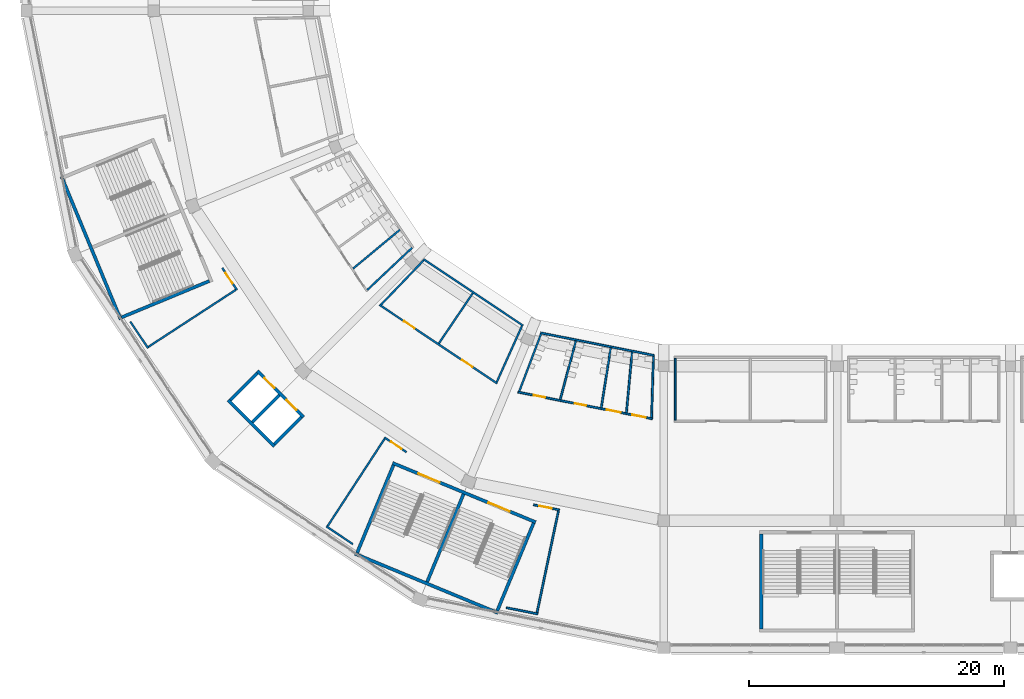
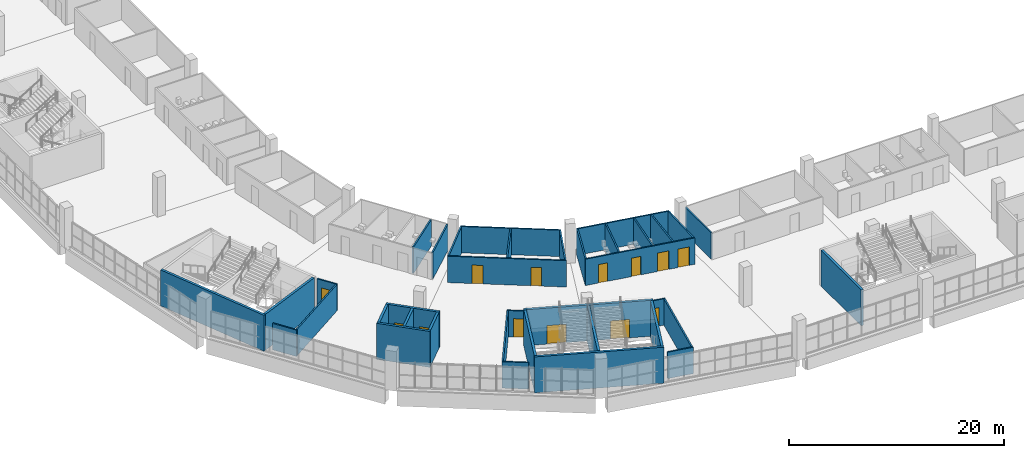
# One storey, part 74 of 199: 37 walls, 13 doors, 13 openings.
"""IFC4 building model written with IfcOpenShell, lengths in metres."""

from ifc_helpers import new_model, si_unit, direction, frame, frame_2d, origin, place, context, subcontext, project, spatial, rectangle, extrude, material, layer, layer_set, type_object, element, fill, save


model = new_model("IFC4")

# Units and contexts
model_context = context("Model", 3, precision=1e-05, world=origin(), true_north=direction((0.0, 1.0)))
body_context = subcontext(model_context, "Body", "Model", "MODEL_VIEW")
ifc_project = project(units=[si_unit("LENGTHUNIT", "METRE"), si_unit("AREAUNIT", "SQUARE_METRE"), si_unit("VOLUMEUNIT", "CUBIC_METRE"), si_unit("PLANEANGLEUNIT", "RADIAN"), si_unit("MASSUNIT", "GRAM", prefix="KILO")], contexts=[model_context])

# Site, building, storey
site_placement = place(None, origin())
site = spatial("IfcSite", under=ifc_project, at=site_placement, CompositionType="ELEMENT")
building_placement = place(site_placement, origin())
building = spatial("IfcBuilding", under=site, at=building_placement, Name="Ogive Plaza Stadium", CompositionType="ELEMENT")
storey_placement = place(building_placement, frame((0.0, 0.0, 4.5)))
storey = spatial("IfcBuildingStorey", under=building, at=storey_placement, Name="L01", CompositionType="ELEMENT", Elevation=4.5)

# Wall
ifc_material_1 = material(Name="Masonry blockwork", Category="masonry")
ifc_layer_1 = layer(ifc_material_1, 0.14990234375)
ifc_layer_set_1 = layer_set([ifc_layer_1], Name="Blockwork wall 150")
wall_type_1 = type_object("IfcWallType", Name="Blockwork wall 150", PredefinedType="SOLIDWALL", material=ifc_layer_set_1)
wall_1_placement = place(storey_placement, frame((-33.10009765625, -79.77490234375, 0.0), z_axis=(0.0, 0.0, 1.0), x_axis=(0.0, -1.0, 0.0)))
element("IfcWall", 1, at=wall_1_placement, inside=storey, type_object=wall_type_1, Name="Wall L01 B16", PredefinedType="SOLIDWALL", context=body_context, shape_type="SweptSolid", body=[
    extrude(rectangle(XDim=4.85009765625, YDim=0.14990234375, at=frame_2d((2.425048828125, 0.0))), origin(), (0.0, 0.0, 1.0), 3.0),
])

# Wall, opening, door
wall_2_placement = place(storey_placement, frame((-44.21728515625, -91.267578125, 0.0), z_axis=(0.0, 0.0, 1.0), x_axis=(0.980769797582, -0.195168143279, 0.0)))
wall_2 = element("IfcWall", 2, at=wall_2_placement, inside=storey, type_object=wall_type_1, Name="Wall L01 B17", PredefinedType="SOLIDWALL", context=body_context, shape_type="SweptSolid", body=[
    extrude(rectangle(XDim=2.080322265625, YDim=0.14990234375, at=frame_2d((1.0400390625, 0.0))), origin(), (0.0, 0.0, 1.0), 3.0),
])
opening_1_placement = place(wall_2_placement, frame((0.47216796875, 0.0, 0.0)))
opening_1 = element("IfcOpeningElement", 3, at=opening_1_placement, cuts=wall_2, Name="Opening D0525", PredefinedType="OPENING", context=body_context, shape_type="SweptSolid", body=[
    extrude(rectangle(XDim=1.0, YDim=2.10009765625, at=frame_2d((0.5, 1.050048828125))), frame((0.0, 0.074951171875, 0.0), z_axis=(0.0, -1.0, 0.0), x_axis=(1.0, 0.0, 0.0)), (0.0, 0.0, 1.0), 0.14990234375),
])
ifc_material_2 = material(Name="Steel ASTM A572 Grade 50", Category="steel")
door_type_1 = type_object("IfcDoorType", Name="Door 1000 x 2100", OperationType="SINGLE_SWING_LEFT", PredefinedType="DOOR", material=ifc_material_2)
door_1_placement = place(opening_1_placement, origin())
door_1 = element("IfcDoor", 4, at=door_1_placement, inside=storey, type_object=door_type_1, Name="Club Servery B17 door", OperationType="SINGLE_SWING_RIGHT", OverallHeight=2.10009765625, OverallWidth=1.0, PredefinedType="DOOR", context=body_context, shape_type="SweptSolid", body=[
    extrude(rectangle(XDim=1.0, YDim=2.10009765625, at=frame_2d((0.5, 1.050048828125))), frame((0.0, 0.02490234375, 0.0), z_axis=(0.0, -1.0, 0.0), x_axis=(1.0, 0.0, 0.0)), (0.0, 0.0, 1.0), 0.050048828125),
])
fill(opening_1, door_1)

# Walls
wall_3_placement = place(storey_placement, frame((-46.345947265625, -99.34423828125, 0.0), z_axis=(0.0, 0.0, 1.0), x_axis=(0.980778163577, -0.195126097309, 0.0)))
element("IfcWall", 5, at=wall_3_placement, inside=storey, type_object=wall_type_1, Name="Wall L01 B17", PredefinedType="SOLIDWALL", context=body_context, shape_type="SweptSolid", body=[
    extrude(rectangle(XDim=2.513671875, YDim=0.14990234375, at=frame_2d((1.2568359375, 0.0))), origin(), (0.0, 0.0, 1.0), 3.0),
])
wall_4_placement = place(storey_placement, frame((-42.2587890625, -91.732177734375, 0.0), z_axis=(0.0, 0.0, 1.0), x_axis=(-0.206011983374, -0.978549468707, 0.0)))
element("IfcWall", 6, at=wall_4_placement, inside=storey, type_object=wall_type_1, Name="Wall L01 B17", PredefinedType="SOLIDWALL", context=body_context, shape_type="SweptSolid", body=[
    extrude(rectangle(XDim=8.190185546875, YDim=0.14990234375, at=frame_2d((4.09521484375, 0.0))), origin(), (0.0, 0.0, 1.0), 3.0),
])
wall_5_placement = place(storey_placement, frame((-45.037109375, -77.209716796875, 0.0), z_axis=(0.0, 0.0, 1.0), x_axis=(-0.83146970134, 0.555570099766, 0.0)))
element("IfcWall", 7, at=wall_5_placement, inside=storey, type_object=wall_type_1, Name="Wall L01 B18", PredefinedType="SOLIDWALL", context=body_context, shape_type="SweptSolid", body=[
    extrude(rectangle(XDim=9.3876953125, YDim=0.14990234375, at=frame_2d((4.69384765625, 0.0))), origin(), (0.0, 0.0, 1.0), 3.0),
])

# Wall, openings, doors
wall_6_placement = place(storey_placement, frame((-47.066162109375, -81.751953125, 0.0), z_axis=(0.0, 0.0, 1.0), x_axis=(-0.83146852918, 0.555571854024, 0.0)))
wall_6 = element("IfcWall", 8, at=wall_6_placement, inside=storey, type_object=wall_type_1, Name="Wall L01 B18", PredefinedType="SOLIDWALL", context=body_context, shape_type="SweptSolid", body=[
    extrude(rectangle(XDim=11.113525390625, YDim=0.14990234375, at=frame_2d((5.556640625, 0.0))), origin(), (0.0, 0.0, 1.0), 3.0),
])
opening_2_placement = place(wall_6_placement, frame((2.319091796875, 0.0, 0.0)))
opening_2 = element("IfcOpeningElement", 9, at=opening_2_placement, cuts=wall_6, Name="Opening D0526", PredefinedType="OPENING", context=body_context, shape_type="SweptSolid", body=[
    extrude(rectangle(XDim=1.0, YDim=2.10009765625, at=frame_2d((0.5, 1.050048828125))), frame((0.0, 0.074951171875, 0.0), z_axis=(0.0, -1.0, 0.0), x_axis=(1.0, 0.0, 0.0)), (0.0, 0.0, 1.0), 0.14990234375),
])
opening_3_placement = place(wall_6_placement, frame((7.79443359375, 0.0, 0.0)))
opening_3 = element("IfcOpeningElement", 10, at=opening_3_placement, cuts=wall_6, Name="Opening D0527", PredefinedType="OPENING", context=body_context, shape_type="SweptSolid", body=[
    extrude(rectangle(XDim=1.0, YDim=2.10009765625, at=frame_2d((0.5, 1.050048828125))), frame((0.0, 0.074951171875, 0.0), z_axis=(0.0, -1.0, 0.0), x_axis=(1.0, 0.0, 0.0)), (0.0, 0.0, 1.0), 0.14990234375),
])
door_2_placement = place(opening_2_placement, origin())
door_2 = element("IfcDoor", 11, at=door_2_placement, inside=storey, type_object=door_type_1, Name="Club Bar B18 door", OperationType="SINGLE_SWING_LEFT", OverallHeight=2.10009765625, OverallWidth=1.0, PredefinedType="DOOR", context=body_context, shape_type="SweptSolid", body=[
    extrude(rectangle(XDim=1.0, YDim=2.10009765625, at=frame_2d((0.5, 1.050048828125))), frame((0.0, 0.02490234375, 0.0), z_axis=(0.0, -1.0, 0.0), x_axis=(1.0, 0.0, 0.0)), (0.0, 0.0, 1.0), 0.050048828125),
])
fill(opening_2, door_2)
ifc_material_3 = material(Name="Steel ASTM A572 Grade 50", Category="steel")
door_type_2 = type_object("IfcDoorType", Name="Fire door FD60 1000 x 2100", OperationType="SINGLE_SWING_LEFT", PredefinedType="DOOR", material=ifc_material_3)
door_3_placement = place(opening_3_placement, origin())
door_3 = element("IfcDoor", 12, at=door_3_placement, inside=storey, type_object=door_type_2, Name="Club Kitchen B18 door", OperationType="SINGLE_SWING_RIGHT", OverallHeight=2.10009765625, OverallWidth=1.0, PredefinedType="DOOR", context=body_context, shape_type="SweptSolid", body=[
    extrude(rectangle(XDim=1.0, YDim=2.10009765625, at=frame_2d((0.5, 1.050048828125))), frame((0.0, 0.02490234375, 0.0), z_axis=(0.0, -1.0, 0.0), x_axis=(1.0, 0.0, 0.0)), (0.0, 0.0, 1.0), 0.050048828125),
])
fill(opening_3, door_3)

# Walls
wall_7_placement = place(storey_placement, frame((-45.125, -77.23974609375, 0.0), z_axis=(0.0, 0.0, 1.0), x_axis=(-0.410107887306, -0.912037017215, 0.0)))
element("IfcWall", 13, at=wall_7_placement, inside=storey, type_object=wall_type_1, Name="Wall L01 B18", PredefinedType="SOLIDWALL", context=body_context, shape_type="SweptSolid", body=[
    extrude(rectangle(XDim=4.8232421875, YDim=0.14990234375, at=frame_2d((2.41162109375, 0.0))), origin(), (0.0, 0.0, 1.0), 3.0),
])
wall_8_placement = place(storey_placement, frame((-48.981201171875, -74.662841796875, 0.0), z_axis=(0.0, 0.0, 1.0), x_axis=(-0.559983112244, -0.828504021717, 0.0)))
element("IfcWall", 14, at=wall_8_placement, inside=storey, type_object=wall_type_1, Name="Wall L01 B18", PredefinedType="SOLIDWALL", context=body_context, shape_type="SweptSolid", body=[
    extrude(rectangle(XDim=4.757080078125, YDim=0.14990234375, at=frame_2d((2.37841796875, 0.0))), origin(), (0.0, 0.0, 1.0), 3.0),
])
wall_9_placement = place(storey_placement, frame((-52.83740234375, -72.086181640625, 0.0), z_axis=(0.0, 0.0, 1.0), x_axis=(-0.693179391143, -0.720765101607, 0.0)))
element("IfcWall", 15, at=wall_9_placement, inside=storey, type_object=wall_type_1, Name="Wall L01 B18", PredefinedType="SOLIDWALL", context=body_context, shape_type="SweptSolid", body=[
    extrude(rectangle(XDim=4.832275390625, YDim=0.14990234375, at=frame_2d((2.416015625, 0.0))), origin(), (0.0, 0.0, 1.0), 3.0),
])

# Wall, opening, door
wall_10_placement = place(storey_placement, frame((-54.188232421875, -87.1376953125, 0.0), z_axis=(0.0, 0.0, 1.0), x_axis=(-0.831435859109, 0.555620744921, 0.0)))
wall_10 = element("IfcWall", 16, at=wall_10_placement, inside=storey, type_object=wall_type_1, Name="Wall L01 B18", PredefinedType="SOLIDWALL", context=body_context, shape_type="SweptSolid", body=[
    extrude(rectangle(XDim=2.080078125, YDim=0.14990234375, at=frame_2d((1.0400390625, 0.0))), origin(), (0.0, 0.0, 1.0), 3.0),
])
opening_4_placement = place(wall_10_placement, frame((0.47216796875, 0.0, 0.0)))
opening_4 = element("IfcOpeningElement", 17, at=opening_4_placement, cuts=wall_10, Name="Opening D0528", PredefinedType="OPENING", context=body_context, shape_type="SweptSolid", body=[
    extrude(rectangle(XDim=1.0, YDim=2.10009765625, at=frame_2d((0.5, 1.050048828125))), frame((0.0, 0.074951171875, 0.0), z_axis=(0.0, -1.0, 0.0), x_axis=(1.0, 0.0, 0.0)), (0.0, 0.0, 1.0), 0.14990234375),
])
door_4_placement = place(opening_4_placement, origin())
door_4 = element("IfcDoor", 18, at=door_4_placement, inside=storey, type_object=door_type_2, Name="Club Store B18 door", OperationType="SINGLE_SWING_RIGHT", OverallHeight=2.10009765625, OverallWidth=1.0, PredefinedType="DOOR", context=body_context, shape_type="SweptSolid", body=[
    extrude(rectangle(XDim=1.0, YDim=2.10009765625, at=frame_2d((0.5, 1.050048828125))), frame((0.0, 0.02490234375, 0.0), z_axis=(0.0, -1.0, 0.0), x_axis=(1.0, 0.0, 0.0)), (0.0, 0.0, 1.0), 0.050048828125),
])
fill(opening_4, door_4)

# Walls
wall_11_placement = place(storey_placement, frame((-58.39404296875, -94.353759765625, 0.0), z_axis=(0.0, 0.0, 1.0), x_axis=(-0.83145207432, 0.555596479569, 0.0)))
element("IfcWall", 19, at=wall_11_placement, inside=storey, type_object=wall_type_1, Name="Wall L01 B18", PredefinedType="SOLIDWALL", context=body_context, shape_type="SweptSolid", body=[
    extrude(rectangle(XDim=2.513427734375, YDim=0.14990234375, at=frame_2d((1.2568359375, 0.0))), origin(), (0.0, 0.0, 1.0), 3.0),
])
wall_12_placement = place(storey_placement, frame((-55.901611328125, -86.081298828125, 0.0), z_axis=(0.0, 0.0, 1.0), x_axis=(-0.546272327191, -0.837607631618, 0.0)))
element("IfcWall", 20, at=wall_12_placement, inside=storey, type_object=wall_type_1, Name="Wall L01 B18", PredefinedType="SOLIDWALL", context=body_context, shape_type="SweptSolid", body=[
    extrude(rectangle(XDim=8.18994140625, YDim=0.14990234375, at=frame_2d((4.094970703125, 0.0))), origin(), (0.0, 0.0, 1.0), 3.0),
])
ifc_material_4 = material(Name="Concrete C40/50", Category="concrete")
ifc_layer_2 = layer(ifc_material_4, 0.25)
ifc_layer_set_2 = layer_set([ifc_layer_2], Name="Concrete C40/50")
wall_type_2 = type_object("IfcWallType", Name="Core wall 250", PredefinedType="SHEAR", material=ifc_layer_set_2)
wall_13_placement = place(storey_placement, frame((-26.35009765625, -93.550048828125, 0.0), z_axis=(0.0, 0.0, 1.0), x_axis=(0.0, -1.0, 0.0)))
element("IfcWall", 21, at=wall_13_placement, inside=storey, type_object=wall_type_2, Name="Stair core R16 side wall", PredefinedType="SHEAR", context=body_context, shape_type="SweptSolid", body=[
    extrude(rectangle(XDim=7.4599609375, YDim=0.25, at=frame_2d((3.72998046875, 0.0))), origin(), (0.0, 0.0, 1.0), 4.090087890625),
])

# Wall, openings, doors
wall_14_placement = place(storey_placement, frame((-55.27392578125, -87.98486328125, 0.0), z_axis=(0.0, 0.0, 1.0), x_axis=(0.923877480578, -0.382688386133, 0.0)))
wall_14 = element("IfcWall", 22, at=wall_14_placement, inside=storey, type_object=wall_type_2, Name="Stair core R18 inner wall", PredefinedType="SHEAR", context=body_context, shape_type="SweptSolid", body=[
    extrude(rectangle(XDim=12.14990234375, YDim=0.25, at=frame_2d((6.074951171875, 0.0))), origin(), (0.0, 0.0, 1.0), 4.090087890625),
])
opening_5_placement = place(wall_14_placement, frame((2.199951171875, 0.0, 0.0)))
opening_5 = element("IfcOpeningElement", 23, at=opening_5_placement, cuts=wall_14, Name="Opening D0147", PredefinedType="OPENING", context=body_context, shape_type="SweptSolid", body=[
    extrude(rectangle(XDim=1.800048828125, YDim=2.10009765625, at=frame_2d((0.89990234375, 1.050048828125))), frame((0.0, 0.125, 0.0), z_axis=(0.0, -1.0, 0.0), x_axis=(1.0, 0.0, 0.0)), (0.0, 0.0, 1.0), 0.25),
])
opening_6_placement = place(wall_14_placement, frame((8.14990234375, 0.0, 0.0)))
opening_6 = element("IfcOpeningElement", 24, at=opening_6_placement, cuts=wall_14, Name="Opening D0148", PredefinedType="OPENING", context=body_context, shape_type="SweptSolid", body=[
    extrude(rectangle(XDim=1.800048828125, YDim=2.10009765625, at=frame_2d((0.89990234375, 1.050048828125))), frame((0.0, 0.125, 0.0), z_axis=(0.0, -1.0, 0.0), x_axis=(1.0, 0.0, 0.0)), (0.0, 0.0, 1.0), 0.25),
])
ifc_material_5 = material(Name="Steel ASTM A572 Grade 50", Category="steel")
door_type_3 = type_object("IfcDoorType", Name="Fire door FD90 pair 1800 x 2100", OperationType="DOUBLE_DOOR_SINGLE_SWING", PredefinedType="DOOR", material=ifc_material_5)
door_5_placement = place(opening_5_placement, origin())
door_5 = element("IfcDoor", 25, at=door_5_placement, inside=storey, type_object=door_type_3, Name="Exit stair R18A door L01", OperationType="DOUBLE_DOOR_SINGLE_SWING", OverallHeight=2.10009765625, OverallWidth=1.800048828125, PredefinedType="DOOR", context=body_context, shape_type="SweptSolid", body=[
    extrude(rectangle(XDim=1.800048828125, YDim=2.10009765625, at=frame_2d((0.89990234375, 1.050048828125))), frame((0.0, 0.02490234375, 0.0), z_axis=(0.0, -1.0, 0.0), x_axis=(1.0, 0.0, 0.0)), (0.0, 0.0, 1.0), 0.050048828125),
])
fill(opening_5, door_5)
door_6_placement = place(opening_6_placement, origin())
door_6 = element("IfcDoor", 26, at=door_6_placement, inside=storey, type_object=door_type_3, Name="Exit stair R18B door L01", OperationType="DOUBLE_DOOR_SINGLE_SWING", OverallHeight=2.10009765625, OverallWidth=1.800048828125, PredefinedType="DOOR", context=body_context, shape_type="SweptSolid", body=[
    extrude(rectangle(XDim=1.800048828125, YDim=2.10009765625, at=frame_2d((0.89990234375, 1.050048828125))), frame((0.0, 0.02490234375, 0.0), z_axis=(0.0, -1.0, 0.0), x_axis=(1.0, 0.0, 0.0)), (0.0, 0.0, 1.0), 0.050048828125),
])
fill(opening_6, door_6)

# Walls
wall_15_placement = place(storey_placement, frame((-58.224365234375, -95.108154296875, 0.0), z_axis=(0.0, 0.0, 1.0), x_axis=(0.923884584817, -0.382671234792, 0.0)))
element("IfcWall", 27, at=wall_15_placement, inside=storey, type_object=wall_type_2, Name="Stair core R18 outer wall", PredefinedType="SHEAR", context=body_context, shape_type="SweptSolid", body=[
    extrude(rectangle(XDim=12.14990234375, YDim=0.25, at=frame_2d((6.074951171875, 0.0))), origin(), (0.0, 0.0, 1.0), 4.090087890625),
])
for number, where, z_axis, x_axis, name in (
    (28, (-55.206298828125, -88.148193359375, 0.0), (0.0, 0.0, 1.0), (-0.382664910245, -0.923887204407, 0.0), "Stair core R18 side wall"),
    (29, (-44.212158203125, -92.7021484375, 0.0), (0.0, 0.0, 1.0), (-0.382664910245, -0.923887204407, 0.0), "Stair core R18 side wall"),
):
    element("IfcWall", number, at=place(storey_placement, frame(where, z_axis=z_axis, x_axis=x_axis)), inside=storey, type_object=wall_type_2, Name=name, PredefinedType="SHEAR", context=body_context, shape_type="SweptSolid", body=[
        extrude(rectangle(XDim=7.460205078125, YDim=0.25, at=frame_2d((3.72998046875, 0.0))), origin(), (0.0, 0.0, 1.0), 4.090087890625),
    ])
wall_16_placement = place(storey_placement, frame((-49.709228515625, -90.42529296875, 0.0), z_axis=(0.0, 0.0, 1.0), x_axis=(-0.382676480483, -0.923882412044, 0.0)))
element("IfcWall", 30, at=wall_16_placement, inside=storey, type_object=wall_type_2, Name="Stair core R18 centre wall", PredefinedType="SHEAR", context=body_context, shape_type="SweptSolid", body=[
    extrude(rectangle(XDim=7.4599609375, YDim=0.25, at=frame_2d((3.72998046875, 0.0))), origin(), (0.0, 0.0, 1.0), 4.090087890625),
])
wall_17_placement = place(storey_placement, frame((-81.257568359375, -65.499267578125, 0.0), z_axis=(0.0, 0.0, 1.0), x_axis=(0.382671234792, -0.923884584817, 0.0)))
element("IfcWall", 31, at=wall_17_placement, inside=storey, type_object=wall_type_2, Name="Stair core R20 outer wall", PredefinedType="SHEAR", context=body_context, shape_type="SweptSolid", body=[
    extrude(rectangle(XDim=12.14990234375, YDim=0.25, at=frame_2d((6.074951171875, 0.0))), origin(), (0.0, 0.0, 1.0), 4.090087890625),
])
wall_18_placement = place(storey_placement, frame((-69.648193359375, -73.706298828125, 0.0), z_axis=(0.0, 0.0, 1.0), x_axis=(-0.923887204407, -0.382664910245, 0.0)))
element("IfcWall", 32, at=wall_18_placement, inside=storey, type_object=wall_type_2, Name="Stair core R20 side wall", PredefinedType="SHEAR", context=body_context, shape_type="SweptSolid", body=[
    extrude(rectangle(XDim=7.460205078125, YDim=0.25, at=frame_2d((3.72998046875, 0.0))), origin(), (0.0, 0.0, 1.0), 4.090087890625),
])

# Wall, openings, doors
wall_19_placement = place(storey_placement, frame((-65.890625, -80.7490234375, 0.0), z_axis=(0.0, 0.0, 1.0), x_axis=(0.707106781187, -0.707106781187, 0.0)))
wall_19 = element("IfcWall", 33, at=wall_19_placement, inside=storey, type_object=wall_type_2, Name="Lift core LP19 landing wall", PredefinedType="SHEAR", context=body_context, shape_type="SweptSolid", body=[
    extrude(rectangle(XDim=5.14990234375, YDim=0.25, at=frame_2d((2.574951171875, 0.0))), origin(), (0.0, 0.0, 1.0), 4.090087890625),
])
opening_7_placement = place(wall_19_placement, frame((0.800048828125, 0.0, 0.0)))
opening_7 = element("IfcOpeningElement", 34, at=opening_7_placement, cuts=wall_19, Name="Opening LD046", PredefinedType="OPENING", context=body_context, shape_type="SweptSolid", body=[
    extrude(rectangle(XDim=1.10009765625, YDim=2.10009765625, at=frame_2d((0.550048828125, 1.050048828125))), frame((0.0, 0.125, 0.0), z_axis=(0.0, -1.0, 0.0), x_axis=(1.0, 0.0, 0.0)), (0.0, 0.0, 1.0), 0.25),
])
opening_8_placement = place(wall_19_placement, frame((3.25, 0.0, 0.0)))
opening_8 = element("IfcOpeningElement", 35, at=opening_8_placement, cuts=wall_19, Name="Opening LD047", PredefinedType="OPENING", context=body_context, shape_type="SweptSolid", body=[
    extrude(rectangle(XDim=1.10009765625, YDim=2.10009765625, at=frame_2d((0.550048828125, 1.050048828125))), frame((0.0, 0.125, 0.0), z_axis=(0.0, -1.0, 0.0), x_axis=(1.0, 0.0, 0.0)), (0.0, 0.0, 1.0), 0.25),
])
ifc_material_6 = material(Name="Steel ASTM A572 Grade 50", Category="steel")
door_type_4 = type_object("IfcDoorType", Name="Landing door 1100 x 2100", OperationType="SLIDING_TO_LEFT", PredefinedType="DOOR", material=ifc_material_6)
door_7_placement = place(opening_7_placement, origin())
door_7 = element("IfcDoor", 36, at=door_7_placement, inside=storey, type_object=door_type_4, Name="Lift landing door LP19 L01", OperationType="SLIDING_TO_LEFT", OverallHeight=2.10009765625, OverallWidth=1.10009765625, PredefinedType="DOOR", context=body_context, shape_type="SweptSolid", body=[
    extrude(rectangle(XDim=1.10009765625, YDim=2.10009765625, at=frame_2d((0.550048828125, 1.050048828125))), frame((0.0, 0.02490234375, 0.0), z_axis=(0.0, -1.0, 0.0), x_axis=(1.0, 0.0, 0.0)), (0.0, 0.0, 1.0), 0.050048828125),
])
fill(opening_7, door_7)
door_8_placement = place(opening_8_placement, origin())
door_8 = element("IfcDoor", 37, at=door_8_placement, inside=storey, type_object=door_type_4, Name="Lift landing door LP19 L01", OperationType="SLIDING_TO_LEFT", OverallHeight=2.10009765625, OverallWidth=1.10009765625, PredefinedType="DOOR", context=body_context, shape_type="SweptSolid", body=[
    extrude(rectangle(XDim=1.10009765625, YDim=2.10009765625, at=frame_2d((0.550048828125, 1.050048828125))), frame((0.0, 0.02490234375, 0.0), z_axis=(0.0, -1.0, 0.0), x_axis=(1.0, 0.0, 0.0)), (0.0, 0.0, 1.0), 0.050048828125),
])
fill(opening_8, door_8)

# Walls
wall_20_placement = place(storey_placement, frame((-68.188720703125, -83.047119140625, 0.0), z_axis=(0.0, 0.0, 1.0), x_axis=(0.707106781187, -0.707106781187, 0.0)))
element("IfcWall", 38, at=wall_20_placement, inside=storey, type_object=wall_type_2, Name="Lift core LP19 rear wall", PredefinedType="SHEAR", context=body_context, shape_type="SweptSolid", body=[
    extrude(rectangle(XDim=5.14990234375, YDim=0.25, at=frame_2d((2.574951171875, 0.0))), origin(), (0.0, 0.0, 1.0), 4.090087890625),
])
for number, where, z_axis, x_axis, name in (
    (39, (-65.890625, -80.92578125, 0.0), (0.0, 0.0, 1.0), (-0.707066087907, -0.707147472125, 0.0), "Lift core LP19 side wall"),
    (40, (-62.42578125, -84.390625, 0.0), (0.0, 0.0, 1.0), (-0.707147472125, -0.707066087907, 0.0), "Lift core LP19 side wall"),
):
    element("IfcWall", number, at=place(storey_placement, frame(where, z_axis=z_axis, x_axis=x_axis)), inside=storey, type_object=wall_type_2, Name=name, PredefinedType="SHEAR", context=body_context, shape_type="SweptSolid", body=[
        extrude(rectangle(XDim=2.999755859375, YDim=0.25, at=frame_2d((1.5, 0.0))), origin(), (0.0, 0.0, 1.0), 4.090087890625),
    ])
wall_21_placement = place(storey_placement, frame((-64.158203125, -82.658203125, 0.0), z_axis=(0.0, 0.0, 1.0), x_axis=(-0.707106781187, -0.707106781187, 0.0)))
element("IfcWall", 41, at=wall_21_placement, inside=storey, type_object=wall_type_2, Name="Lift core LP19 centre wall", PredefinedType="SHEAR", context=body_context, shape_type="SweptSolid", body=[
    extrude(rectangle(XDim=3.0, YDim=0.25, at=frame_2d((1.5, 0.0))), origin(), (0.0, 0.0, 1.0), 4.090087890625),
])
ifc_material_7 = material(Name="Gypsum board partition", Category="gypsum")
ifc_layer_3 = layer(ifc_material_7, 0.14990234375)
ifc_layer_set_3 = layer_set([ifc_layer_3], Name="Partition 150")
wall_type_3 = type_object("IfcWallType", Name="Partition 150", PredefinedType="PARTITIONING", material=ifc_layer_set_3)
wall_22_placement = place(storey_placement, frame((-43.66796875, -77.77685546875, 0.0), z_axis=(0.0, 0.0, 1.0), x_axis=(0.980786464492, -0.195084369103, 0.0)))
element("IfcWall", 42, at=wall_22_placement, inside=storey, type_object=wall_type_3, Name="Wall L01 B17", PredefinedType="PARTITIONING", context=body_context, shape_type="SweptSolid", body=[
    extrude(rectangle(XDim=9.101806640625, YDim=0.14990234375, at=frame_2d((4.55078125, 0.0))), origin(), (0.0, 0.0, 1.0), 3.0),
])

# Wall, openings, doors
wall_23_placement = place(storey_placement, frame((-45.445068359375, -82.42333984375, 0.0), z_axis=(0.0, 0.0, 1.0), x_axis=(0.98078580384, -0.195087690502, 0.0)))
wall_23 = element("IfcWall", 43, at=wall_23_placement, inside=storey, type_object=wall_type_3, Name="Wall L01 B17", PredefinedType="PARTITIONING", context=body_context, shape_type="SweptSolid", body=[
    extrude(rectangle(XDim=10.77490234375, YDim=0.14990234375, at=frame_2d((5.387451171875, 0.0))), origin(), (0.0, 0.0, 1.0), 3.0),
])
opening_9_placement = place(wall_23_placement, frame((1.276123046875, 0.0, 0.0)))
opening_9 = element("IfcOpeningElement", 44, at=opening_9_placement, cuts=wall_23, Name="Opening D0521", PredefinedType="OPENING", context=body_context, shape_type="SweptSolid", body=[
    extrude(rectangle(XDim=0.89990234375, YDim=2.10009765625, at=frame_2d((0.449951171875, 1.050048828125))), frame((0.0, 0.074951171875, 0.0), z_axis=(0.0, -1.0, 0.0), x_axis=(1.0, 0.0, 0.0)), (0.0, 0.0, 1.0), 0.14990234375),
])
opening_10_placement = place(wall_23_placement, frame((4.56591796875, 0.0, 0.0)))
opening_10 = element("IfcOpeningElement", 45, at=opening_10_placement, cuts=wall_23, Name="Opening D0522", PredefinedType="OPENING", context=body_context, shape_type="SweptSolid", body=[
    extrude(rectangle(XDim=0.89990234375, YDim=2.10009765625, at=frame_2d((0.449951171875, 1.050048828125))), frame((0.0, 0.074951171875, 0.0), z_axis=(0.0, -1.0, 0.0), x_axis=(1.0, 0.0, 0.0)), (0.0, 0.0, 1.0), 0.14990234375),
])
opening_11_placement = place(wall_23_placement, frame((7.119140625, 0.0, 0.0)))
opening_11 = element("IfcOpeningElement", 46, at=opening_11_placement, cuts=wall_23, Name="Opening D0523", PredefinedType="OPENING", context=body_context, shape_type="SweptSolid", body=[
    extrude(rectangle(XDim=1.10009765625, YDim=2.10009765625, at=frame_2d((0.550048828125, 1.050048828125))), frame((0.0, 0.074951171875, 0.0), z_axis=(0.0, -1.0, 0.0), x_axis=(1.0, 0.0, 0.0)), (0.0, 0.0, 1.0), 0.14990234375),
])
opening_12_placement = place(wall_23_placement, frame((9.135498046875, 0.0, 0.0)))
opening_12 = element("IfcOpeningElement", 47, at=opening_12_placement, cuts=wall_23, Name="Opening D0524", PredefinedType="OPENING", context=body_context, shape_type="SweptSolid", body=[
    extrude(rectangle(XDim=1.10009765625, YDim=2.10009765625, at=frame_2d((0.550048828125, 1.050048828125))), frame((0.0, 0.074951171875, 0.0), z_axis=(0.0, -1.0, 0.0), x_axis=(1.0, 0.0, 0.0)), (0.0, 0.0, 1.0), 0.14990234375),
])
ifc_material_8 = material(Name="Steel ASTM A572 Grade 50", Category="steel")
door_type_5 = type_object("IfcDoorType", Name="Accessible door 1100 x 2100", OperationType="SINGLE_SWING_LEFT", PredefinedType="DOOR", material=ifc_material_8)
door_9_placement = place(opening_11_placement, origin())
door_9 = element("IfcDoor", 48, at=door_9_placement, inside=storey, type_object=door_type_5, Name="Accessible WC B17 door", OperationType="SINGLE_SWING_LEFT", OverallHeight=2.10009765625, OverallWidth=1.10009765625, PredefinedType="DOOR", context=body_context, shape_type="SweptSolid", body=[
    extrude(rectangle(XDim=1.10009765625, YDim=2.10009765625, at=frame_2d((0.550048828125, 1.050048828125))), frame((0.0, 0.02490234375, 0.0), z_axis=(0.0, -1.0, 0.0), x_axis=(1.0, 0.0, 0.0)), (0.0, 0.0, 1.0), 0.050048828125),
])
fill(opening_11, door_9)
door_10_placement = place(opening_12_placement, origin())
door_10 = element("IfcDoor", 49, at=door_10_placement, inside=storey, type_object=door_type_5, Name="Family WC B17 door", OperationType="SINGLE_SWING_LEFT", OverallHeight=2.10009765625, OverallWidth=1.10009765625, PredefinedType="DOOR", context=body_context, shape_type="SweptSolid", body=[
    extrude(rectangle(XDim=1.10009765625, YDim=2.10009765625, at=frame_2d((0.550048828125, 1.050048828125))), frame((0.0, 0.02490234375, 0.0), z_axis=(0.0, -1.0, 0.0), x_axis=(1.0, 0.0, 0.0)), (0.0, 0.0, 1.0), 0.050048828125),
])
fill(opening_12, door_10)
ifc_material_9 = material(Name="Steel ASTM A572 Grade 50", Category="steel")
door_type_6 = type_object("IfcDoorType", Name="Door 900 x 2100", OperationType="SINGLE_SWING_LEFT", PredefinedType="DOOR", material=ifc_material_9)
door_11_placement = place(opening_9_placement, origin())
door_11 = element("IfcDoor", 50, at=door_11_placement, inside=storey, type_object=door_type_6, Name="Men's Toilet B17 door", OperationType="SINGLE_SWING_RIGHT", OverallHeight=2.10009765625, OverallWidth=0.89990234375, PredefinedType="DOOR", context=body_context, shape_type="SweptSolid", body=[
    extrude(rectangle(XDim=0.89990234375, YDim=2.10009765625, at=frame_2d((0.449951171875, 1.050048828125))), frame((0.0, 0.02490234375, 0.0), z_axis=(0.0, -1.0, 0.0), x_axis=(1.0, 0.0, 0.0)), (0.0, 0.0, 1.0), 0.050048828125),
])
fill(opening_9, door_11)
door_12_placement = place(opening_10_placement, origin())
door_12 = element("IfcDoor", 51, at=door_12_placement, inside=storey, type_object=door_type_6, Name="Women's Toilet B17 door", OperationType="SINGLE_SWING_RIGHT", OverallHeight=2.10009765625, OverallWidth=0.89990234375, PredefinedType="DOOR", context=body_context, shape_type="SweptSolid", body=[
    extrude(rectangle(XDim=0.89990234375, YDim=2.10009765625, at=frame_2d((0.449951171875, 1.050048828125))), frame((0.0, 0.02490234375, 0.0), z_axis=(0.0, -1.0, 0.0), x_axis=(1.0, 0.0, 0.0)), (0.0, 0.0, 1.0), 0.050048828125),
])
fill(opening_10, door_12)

# Walls
wall_24_placement = place(storey_placement, frame((-43.626953125, -77.860107421875, 0.0), z_axis=(0.0, 0.0, 1.0), x_axis=(-0.354909029819, -0.934900839957, 0.0)))
element("IfcWall", 52, at=wall_24_placement, inside=storey, type_object=wall_type_3, Name="Wall L01 B17", PredefinedType="PARTITIONING", context=body_context, shape_type="SweptSolid", body=[
    extrude(rectangle(XDim=4.823486328125, YDim=0.14990234375, at=frame_2d((2.41162109375, 0.0))), origin(), (0.0, 0.0, 1.0), 3.0),
])
wall_25_placement = place(storey_placement, frame((-40.89404296875, -78.40380859375, 0.0), z_axis=(0.0, 0.0, 1.0), x_axis=(-0.257187590259, -0.966361497276, 0.0)))
element("IfcWall", 53, at=wall_25_placement, inside=storey, type_object=wall_type_3, Name="Wall L01 B17", PredefinedType="PARTITIONING", context=body_context, shape_type="SweptSolid", body=[
    extrude(rectangle(XDim=4.766357421875, YDim=0.14990234375, at=frame_2d((2.38330078125, 0.0))), origin(), (0.0, 0.0, 1.0), 3.0),
])
wall_26_placement = place(storey_placement, frame((-38.160888671875, -78.947265625, 0.0), z_axis=(0.0, 0.0, 1.0), x_axis=(-0.155385827215, -0.987853857967, 0.0)))
element("IfcWall", 54, at=wall_26_placement, inside=storey, type_object=wall_type_3, Name="Wall L01 B17", PredefinedType="PARTITIONING", context=body_context, shape_type="SweptSolid", body=[
    extrude(rectangle(XDim=4.7607421875, YDim=0.14990234375, at=frame_2d((2.38037109375, 0.0))), origin(), (0.0, 0.0, 1.0), 3.0),
])
wall_27_placement = place(storey_placement, frame((-36.48583984375, -79.280517578125, 0.0), z_axis=(0.0, 0.0, 1.0), x_axis=(-0.092395037313, -0.995722429736, 0.0)))
element("IfcWall", 55, at=wall_27_placement, inside=storey, type_object=wall_type_3, Name="Wall L01 B17", PredefinedType="PARTITIONING", context=body_context, shape_type="SweptSolid", body=[
    extrude(rectangle(XDim=4.78271484375, YDim=0.14990234375, at=frame_2d((2.391357421875, 0.0))), origin(), (0.0, 0.0, 1.0), 3.0),
])
wall_28_placement = place(storey_placement, frame((-34.810546875, -79.61376953125, 0.0), z_axis=(0.0, 0.0, 1.0), x_axis=(-0.02991368842, -0.999552485488, 0.0)))
element("IfcWall", 56, at=wall_28_placement, inside=storey, type_object=wall_type_3, Name="Wall L01 B17", PredefinedType="PARTITIONING", context=body_context, shape_type="SweptSolid", body=[
    extrude(rectangle(XDim=4.823486328125, YDim=0.14990234375, at=frame_2d((2.41162109375, 0.0))), origin(), (0.0, 0.0, 1.0), 3.0),
])
wall_29_placement = place(storey_placement, frame((-54.6943359375, -69.678955078125, 0.0), z_axis=(0.0, 0.0, 1.0), x_axis=(-0.769445858721, -0.638712040358, 0.0)))
element("IfcWall", 57, at=wall_29_placement, inside=storey, type_object=wall_type_3, Name="Wall L01 B19", PredefinedType="PARTITIONING", context=body_context, shape_type="SweptSolid", body=[
    extrude(rectangle(XDim=4.782470703125, YDim=0.14990234375, at=frame_2d((2.39111328125, 0.0))), origin(), (0.0, 0.0, 1.0), 3.0),
])
wall_30_placement = place(storey_placement, frame((-53.74560546875, -71.09912109375, 0.0), z_axis=(0.0, 0.0, 1.0), x_axis=(-0.727898273696, -0.685685134118, 0.0)))
element("IfcWall", 58, at=wall_30_placement, inside=storey, type_object=wall_type_3, Name="Wall L01 B19", PredefinedType="PARTITIONING", context=body_context, shape_type="SweptSolid", body=[
    extrude(rectangle(XDim=4.823486328125, YDim=0.14990234375, at=frame_2d((2.41162109375, 0.0))), origin(), (0.0, 0.0, 1.0), 3.0),
])

# Wall, opening, door
wall_31_placement = place(storey_placement, frame((-68.6376953125, -72.688232421875, 0.0), z_axis=(0.0, 0.0, 1.0), x_axis=(0.555620744921, -0.831435859109, 0.0)))
wall_31 = element("IfcWall", 59, at=wall_31_placement, inside=storey, type_object=wall_type_3, Name="Wall L01 B19", PredefinedType="PARTITIONING", context=body_context, shape_type="SweptSolid", body=[
    extrude(rectangle(XDim=2.080078125, YDim=0.14990234375, at=frame_2d((1.0400390625, 0.0))), origin(), (0.0, 0.0, 1.0), 3.0),
])
opening_13_placement = place(wall_31_placement, frame((0.47216796875, 0.0, 0.0)))
opening_13 = element("IfcOpeningElement", 60, at=opening_13_placement, cuts=wall_31, Name="Opening D0533", PredefinedType="OPENING", context=body_context, shape_type="SweptSolid", body=[
    extrude(rectangle(XDim=1.0, YDim=2.10009765625, at=frame_2d((0.5, 1.050048828125))), frame((0.0, 0.074951171875, 0.0), z_axis=(0.0, -1.0, 0.0), x_axis=(1.0, 0.0, 0.0)), (0.0, 0.0, 1.0), 0.14990234375),
])
door_13_placement = place(opening_13_placement, origin())
door_13 = element("IfcDoor", 61, at=door_13_placement, inside=storey, type_object=door_type_1, Name="Club Reception B19 door", OperationType="SINGLE_SWING_RIGHT", OverallHeight=2.10009765625, OverallWidth=1.0, PredefinedType="DOOR", context=body_context, shape_type="SweptSolid", body=[
    extrude(rectangle(XDim=1.0, YDim=2.10009765625, at=frame_2d((0.5, 1.050048828125))), frame((0.0, 0.02490234375, 0.0), z_axis=(0.0, -1.0, 0.0), x_axis=(1.0, 0.0, 0.0)), (0.0, 0.0, 1.0), 0.050048828125),
])
fill(opening_13, door_13)

# Walls
wall_32_placement = place(storey_placement, frame((-75.853759765625, -76.89404296875, 0.0), z_axis=(0.0, 0.0, 1.0), x_axis=(0.555596479569, -0.83145207432, 0.0)))
element("IfcWall", 62, at=wall_32_placement, inside=storey, type_object=wall_type_3, Name="Wall L01 B19", PredefinedType="PARTITIONING", context=body_context, shape_type="SweptSolid", body=[
    extrude(rectangle(XDim=2.513427734375, YDim=0.14990234375, at=frame_2d((1.2568359375, 0.0))), origin(), (0.0, 0.0, 1.0), 3.0),
])
wall_33_placement = place(storey_placement, frame((-67.581298828125, -74.401611328125, 0.0), z_axis=(0.0, 0.0, 1.0), x_axis=(-0.837607631618, -0.546272327191, 0.0)))
element("IfcWall", 63, at=wall_33_placement, inside=storey, type_object=wall_type_3, Name="Wall L01 B19", PredefinedType="PARTITIONING", context=body_context, shape_type="SweptSolid", body=[
    extrude(rectangle(XDim=8.18994140625, YDim=0.14990234375, at=frame_2d((4.094970703125, 0.0))), origin(), (0.0, 0.0, 1.0), 3.0),
])

save(model, "model.ifc")
